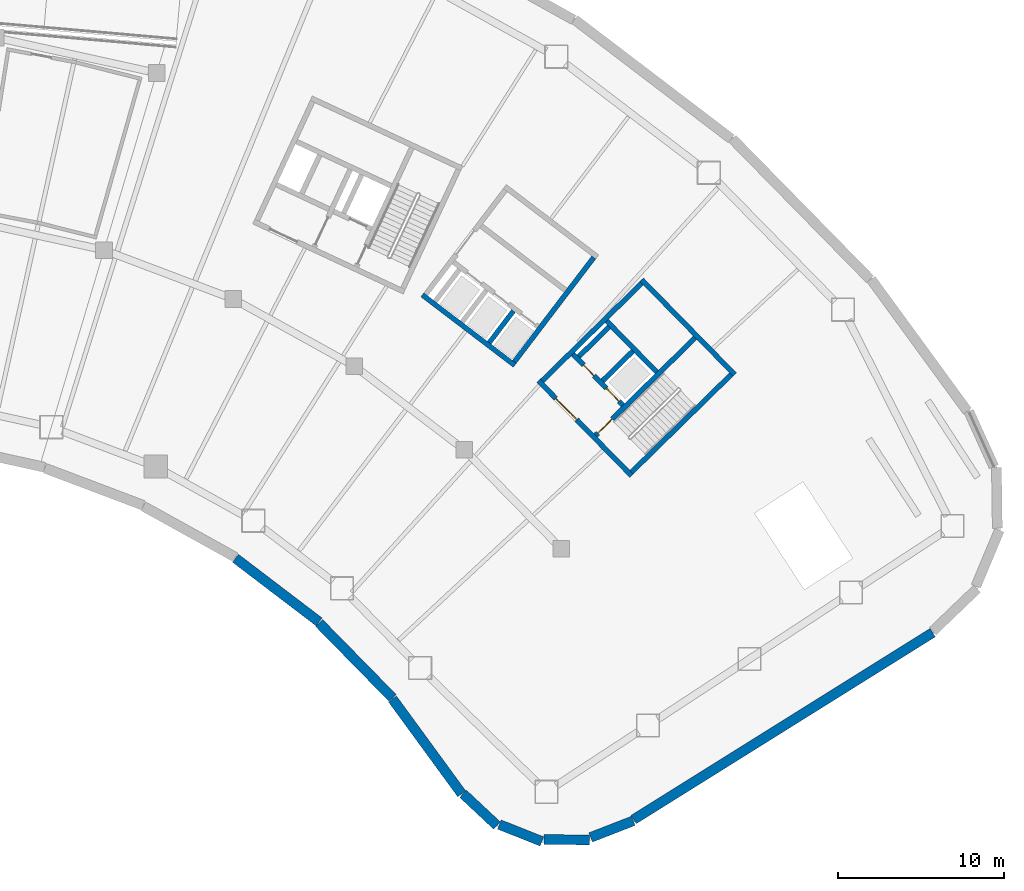
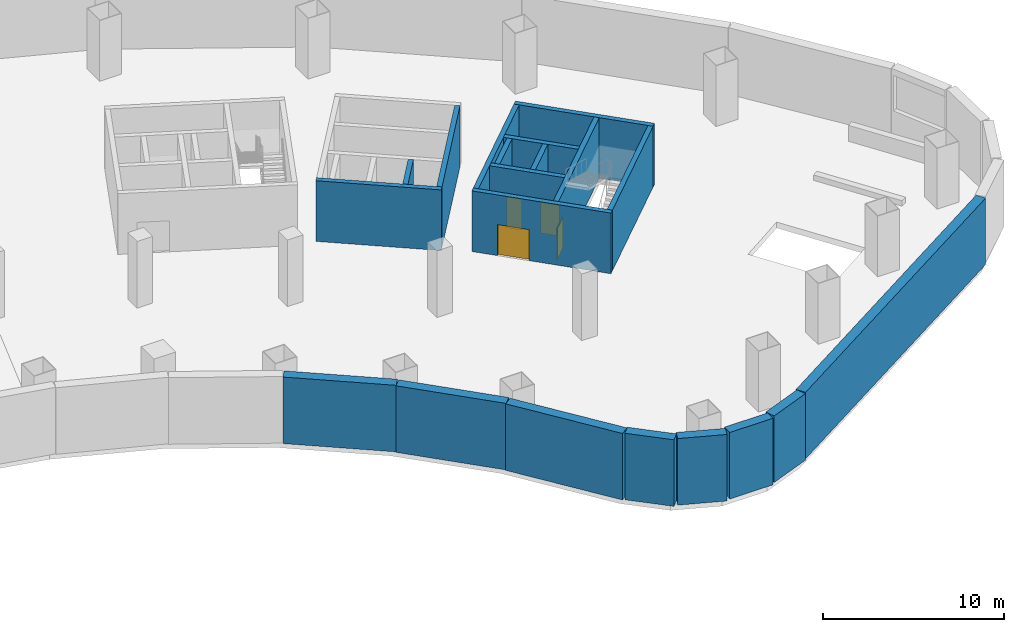
# One storey, part 6 of 11: 20 walls, 4 doors, 4 openings.
"""IFC4 building model written with IfcOpenShell, lengths in metres."""

from ifc_helpers import new_model, si_unit, direction, frame, frame_2d, origin, place, context, subcontext, project, spatial, rectangle, extrude, material, layer, layer_set, type_object, element, fill, save


model = new_model("IFC4")

# Units and contexts
model_context = context("Model", 3, precision=1e-05, world=origin(), true_north=direction((0.0, 1.0)))
body_context = subcontext(model_context, "Body", "Model", "MODEL_VIEW")
ifc_project = project(units=[si_unit("LENGTHUNIT", "METRE"), si_unit("AREAUNIT", "SQUARE_METRE"), si_unit("VOLUMEUNIT", "CUBIC_METRE"), si_unit("PLANEANGLEUNIT", "RADIAN"), si_unit("MASSUNIT", "GRAM", prefix="KILO")], contexts=[model_context])

# Site, building, storey
site_placement = place(None, origin())
site = spatial("IfcSite", under=ifc_project, at=site_placement, CompositionType="ELEMENT")
building_placement = place(site_placement, origin())
building = spatial("IfcBuilding", under=site, at=building_placement, Name="Tuul Gate Civic Tower", CompositionType="ELEMENT")
storey_placement = place(building_placement, frame((0.0, 0.0, -4.5)))
storey = spatial("IfcBuildingStorey", under=building, at=storey_placement, Name="Basement 1", CompositionType="ELEMENT", Elevation=-4.5)

# Wall, opening, door
ifc_material_1 = material(Name="Concrete C50/60", Category="concrete")
ifc_layer_1 = layer(ifc_material_1, 0.300048828125)
ifc_layer_set_1 = layer_set([ifc_layer_1], Name="Concrete C50/60")
wall_type_1 = type_object("IfcWallType", Name="Core wall C50/60", PredefinedType="SHEAR", material=ifc_layer_set_1)
wall_1_placement = place(storey_placement, frame((48.22509765625, -18.327880859375, 0.0), z_axis=(0.0, 0.0, 1.0), x_axis=(-0.700021979774, 0.714121297703, 0.0)))
wall_1 = element("IfcWall", 1, at=wall_1_placement, inside=storey, type_object=wall_type_1, Name="Core wall", PredefinedType="SHEAR", context=body_context, shape_type="SweptSolid", body=[
    extrude(rectangle(XDim=8.0, YDim=0.300048828125, at=frame_2d((4.0, 0.0))), origin(), (0.0, 0.0, 1.0), 4.10009765625),
])
opening_1_placement = place(wall_1_placement, frame((4.72509765625, 0.0, 0.0)))
opening_1 = element("IfcOpeningElement", 2, at=opening_1_placement, cuts=wall_1, Name="Opening LB-E1-LOBBY-1", PredefinedType="OPENING", context=body_context, shape_type="SweptSolid", body=[
    extrude(rectangle(XDim=1.800048828125, YDim=2.10009765625, at=frame_2d((0.89990234375, 1.050048828125))), frame((0.0, 0.16015625, 0.0), z_axis=(0.0, -1.0, 0.0), x_axis=(1.0, 0.0, 0.0)), (0.0, 0.0, 1.0), 0.320068359375),
])
ifc_material_2 = material(Name="Steel", Category="steel")
door_type_1 = type_object("IfcDoorType", Name="Lobby door", OperationType="DOUBLE_DOOR_SINGLE_SWING", PredefinedType="DOOR", material=ifc_material_2)
door_1_placement = place(opening_1_placement, origin())
door_1 = element("IfcDoor", 3, at=door_1_placement, inside=storey, type_object=door_type_1, Name="Lobby door E1-LOBBY", OperationType="DOUBLE_DOOR_SINGLE_SWING", OverallHeight=2.10009765625, OverallWidth=1.800048828125, PredefinedType="DOOR", context=body_context, shape_type="SweptSolid", body=[
    extrude(rectangle(XDim=1.800048828125, YDim=2.10009765625, at=frame_2d((0.89990234375, 1.050048828125))), frame((0.0, 0.02490234375, 0.0), z_axis=(0.0, -1.0, 0.0), x_axis=(1.0, 0.0, 0.0)), (0.0, 0.0, 1.0), 0.050048828125),
])
fill(opening_1, door_1)

# Wall, openings, doors
wall_2_placement = place(storey_placement, frame((47.701904296875, -14.079833984375, 0.0), z_axis=(0.0, 0.0, 1.0), x_axis=(-0.700002721075, 0.714140175657, 0.0)))
wall_2 = element("IfcWall", 4, at=wall_2_placement, inside=storey, type_object=wall_type_1, Name="Core wall", PredefinedType="SHEAR", context=body_context, shape_type="SweptSolid", body=[
    extrude(rectangle(XDim=4.300048828125, YDim=0.300048828125, at=frame_2d((2.14990234375, 0.0))), origin(), (0.0, 0.0, 1.0), 4.10009765625),
])
opening_2_placement = place(wall_2_placement, frame((0.324951171875, 0.0, 0.0)))
opening_2 = element("IfcOpeningElement", 5, at=opening_2_placement, cuts=wall_2, Name="Opening LD-L4", PredefinedType="OPENING", context=body_context, shape_type="SweptSolid", body=[
    extrude(rectangle(XDim=1.10009765625, YDim=2.10009765625, at=frame_2d((0.550048828125, 1.050048828125))), frame((0.0, 0.16015625, 0.0), z_axis=(0.0, -1.0, 0.0), x_axis=(1.0, 0.0, 0.0)), (0.0, 0.0, 1.0), 0.320068359375),
])
opening_3_placement = place(wall_2_placement, frame((2.47509765625, 0.0, 0.0)))
opening_3 = element("IfcOpeningElement", 6, at=opening_3_placement, cuts=wall_2, Name="Opening FB-E1A2", PredefinedType="OPENING", context=body_context, shape_type="SweptSolid", body=[
    extrude(rectangle(XDim=0.89990234375, YDim=2.10009765625, at=frame_2d((0.449951171875, 1.050048828125))), frame((0.0, 0.16015625, 0.0), z_axis=(0.0, -1.0, 0.0), x_axis=(1.0, 0.0, 0.0)), (0.0, 0.0, 1.0), 0.320068359375),
])
ifc_material_3 = material(Name="Stainless steel", Category="steel")
door_type_2 = type_object("IfcDoorType", Name="Landing door", OperationType="DOUBLE_DOOR_SLIDING", PredefinedType="DOOR", material=ifc_material_3)
door_2_placement = place(opening_2_placement, origin())
door_2 = element("IfcDoor", 7, at=door_2_placement, inside=storey, type_object=door_type_2, Name="Low-rise lift L4 landing door", OperationType="DOUBLE_DOOR_SLIDING", OverallHeight=2.10009765625, OverallWidth=1.10009765625, PredefinedType="DOOR", context=body_context, shape_type="SweptSolid", body=[
    extrude(rectangle(XDim=1.10009765625, YDim=2.10009765625, at=frame_2d((0.550048828125, 1.050048828125))), frame((0.0, 0.02490234375, 0.0), z_axis=(0.0, -1.0, 0.0), x_axis=(1.0, 0.0, 0.0)), (0.0, 0.0, 1.0), 0.050048828125),
])
fill(opening_2, door_2)
ifc_material_4 = material(Name="Steel", Category="steel")
door_type_3 = type_object("IfcDoorType", Name="Store door", OperationType="NOTDEFINED", PredefinedType="DOOR", material=ifc_material_4)
door_3_placement = place(opening_3_placement, frame((0.89990234375, 0.0, 0.0), z_axis=(0.0, 0.0, 1.0), x_axis=(-1.0, 0.0, 0.0)))
door_3 = element("IfcDoor", 8, at=door_3_placement, inside=storey, type_object=door_type_3, Name="Store door E1A2", OperationType="SINGLE_SWING_LEFT", OverallHeight=2.10009765625, OverallWidth=0.89990234375, PredefinedType="DOOR", context=body_context, shape_type="SweptSolid", body=[
    extrude(rectangle(XDim=0.89990234375, YDim=2.10009765625, at=frame_2d((0.449951171875, 1.050048828125))), frame((0.0, 0.02490234375, 0.0), z_axis=(0.0, -1.0, 0.0), x_axis=(1.0, 0.0, 0.0)), (0.0, 0.0, 1.0), 0.050048828125),
])
fill(opening_3, door_3)

# Walls
wall_3_placement = place(storey_placement, frame((49.737060546875, -12.0849609375, 0.0), z_axis=(0.0, 0.0, 1.0), x_axis=(-0.700002721075, 0.714140175657, 0.0)))
element("IfcWall", 9, at=wall_3_placement, inside=storey, type_object=wall_type_1, Name="Core wall", PredefinedType="SHEAR", context=body_context, shape_type="SweptSolid", body=[
    extrude(rectangle(XDim=4.300048828125, YDim=0.300048828125, at=frame_2d((2.14990234375, 0.0))), origin(), (0.0, 0.0, 1.0), 4.10009765625),
])
wall_4_placement = place(storey_placement, frame((54.43798828125, -12.23779296875, 0.0), z_axis=(0.0, 0.0, 1.0), x_axis=(-0.700021979774, 0.714121297703, 0.0)))
element("IfcWall", 10, at=wall_4_placement, inside=storey, type_object=wall_type_1, Name="Core wall", PredefinedType="SHEAR", context=body_context, shape_type="SweptSolid", body=[
    extrude(rectangle(XDim=8.0, YDim=0.300048828125, at=frame_2d((4.0, 0.0))), origin(), (0.0, 0.0, 1.0), 4.10009765625),
])
wall_5_placement = place(storey_placement, frame((48.227294921875, -18.115966796875, 0.0), z_axis=(0.0, 0.0, 1.0), x_axis=(0.714105315431, 0.700038283577, 0.0)))
element("IfcWall", 11, at=wall_5_placement, inside=storey, type_object=wall_type_1, Name="Core wall", PredefinedType="SHEAR", context=body_context, shape_type="SweptSolid", body=[
    extrude(rectangle(XDim=8.400146484375, YDim=0.300048828125, at=frame_2d((4.2001953125, 0.0))), origin(), (0.0, 0.0, 1.0), 4.10009765625),
])

# Wall, opening, door
wall_6_placement = place(storey_placement, frame((46.05712890625, -15.902099609375, 0.0), z_axis=(0.0, 0.0, 1.0), x_axis=(0.714134086973, 0.700008932674, 0.0)))
wall_6 = element("IfcWall", 12, at=wall_6_placement, inside=storey, type_object=wall_type_1, Name="Core wall", PredefinedType="SHEAR", context=body_context, shape_type="SweptSolid", body=[
    extrude(rectangle(XDim=8.400146484375, YDim=0.300048828125, at=frame_2d((4.2001953125, 0.0))), origin(), (0.0, 0.0, 1.0), 4.10009765625),
])
opening_4_placement = place(wall_6_placement, frame((0.199951171875, 0.0, 0.0)))
opening_4 = element("IfcOpeningElement", 13, at=opening_4_placement, cuts=wall_6, Name="Opening SD-ST-3", PredefinedType="OPENING", context=body_context, shape_type="SweptSolid", body=[
    extrude(rectangle(XDim=1.199951171875, YDim=2.10009765625, at=frame_2d((0.60009765625, 1.050048828125))), frame((0.0, 0.16015625, 0.0), z_axis=(0.0, -1.0, 0.0), x_axis=(1.0, 0.0, 0.0)), (0.0, 0.0, 1.0), 0.320068359375),
])
ifc_material_5 = material(Name="Steel", Category="steel")
door_type_4 = type_object("IfcDoorType", Name="Stair door", OperationType="NOTDEFINED", PredefinedType="DOOR", material=ifc_material_5)
door_4_placement = place(opening_4_placement, origin())
door_4 = element("IfcDoor", 14, at=door_4_placement, inside=storey, type_object=door_type_4, Name="Stair door ST-3", OperationType="SINGLE_SWING_LEFT", OverallHeight=2.10009765625, OverallWidth=1.199951171875, PredefinedType="DOOR", context=body_context, shape_type="SweptSolid", body=[
    extrude(rectangle(XDim=1.199951171875, YDim=2.10009765625, at=frame_2d((0.60009765625, 1.050048828125))), frame((0.0, 0.02490234375, 0.0), z_axis=(0.0, -1.0, 0.0), x_axis=(1.0, 0.0, 0.0)), (0.0, 0.0, 1.0), 0.050048828125),
])
fill(opening_4, door_4)

# Walls
wall_7_placement = place(storey_placement, frame((46.47900390625, -12.617919921875, 0.0), z_axis=(0.0, 0.0, 1.0), x_axis=(0.71410944159, 0.700034074479, 0.0)))
element("IfcWall", 15, at=wall_7_placement, inside=storey, type_object=wall_type_1, Name="Core wall", PredefinedType="SHEAR", context=body_context, shape_type="SweptSolid", body=[
    extrude(rectangle(XDim=2.5498046875, YDim=0.300048828125, at=frame_2d((1.27490234375, 0.0))), origin(), (0.0, 0.0, 1.0), 4.10009765625),
])
wall_8_placement = place(storey_placement, frame((45.0439453125, -11.154052734375, 0.0), z_axis=(0.0, 0.0, 1.0), x_axis=(0.714108498262, 0.700035036773, 0.0)))
element("IfcWall", 16, at=wall_8_placement, inside=storey, type_object=wall_type_1, Name="Core wall", PredefinedType="SHEAR", context=body_context, shape_type="SweptSolid", body=[
    extrude(rectangle(XDim=2.550048828125, YDim=0.300048828125, at=frame_2d((1.27490234375, 0.0))), origin(), (0.0, 0.0, 1.0), 4.10009765625),
])
wall_9_placement = place(storey_placement, frame((42.837158203125, -12.616943359375, 0.0), z_axis=(0.0, 0.0, 1.0), x_axis=(0.714119844755, 0.700023461983, 0.0)))
element("IfcWall", 17, at=wall_9_placement, inside=storey, type_object=wall_type_1, Name="Core wall", PredefinedType="SHEAR", context=body_context, shape_type="SweptSolid", body=[
    extrude(rectangle(XDim=8.39990234375, YDim=0.300048828125, at=frame_2d((4.199951171875, 0.0))), origin(), (0.0, 0.0, 1.0), 4.10009765625),
])
ifc_material_6 = material(Name="Concrete C40/50", Category="concrete")
ifc_layer_2 = layer(ifc_material_6, 0.300048828125)
ifc_layer_set_2 = layer_set([ifc_layer_2], Name="Concrete C40/50")
wall_type_2 = type_object("IfcWallType", Name="Lift shaft wall C40/50", PredefinedType="STANDARD", material=ifc_layer_set_2)
wall_10_placement = place(storey_placement, frame((41.19189453125, -11.677734375, 0.0), z_axis=(0.0, 0.0, 1.0), x_axis=(-0.795563000331, 0.605870871147, 0.0)))
element("IfcWall", 18, at=wall_10_placement, inside=storey, type_object=wall_type_2, Name="Shaft wall", PredefinedType="STANDARD", context=body_context, shape_type="SweptSolid", body=[
    extrude(rectangle(XDim=7.000244140625, YDim=0.300048828125, at=frame_2d((3.5, 0.0))), origin(), (0.0, 0.0, 1.0), 4.10009765625),
])
wall_11_placement = place(storey_placement, frame((41.163330078125, -11.46728515625, 0.0), z_axis=(0.0, 0.0, 1.0), x_axis=(0.605784332699, 0.795628897324, 0.0)))
element("IfcWall", 19, at=wall_11_placement, inside=storey, type_object=wall_type_2, Name="Shaft wall", PredefinedType="STANDARD", context=body_context, shape_type="SweptSolid", body=[
    extrude(rectangle(XDim=7.89990234375, YDim=0.300048828125, at=frame_2d((3.949951171875, 0.0))), origin(), (0.0, 0.0, 1.0), 4.10009765625),
])
wall_12_placement = place(storey_placement, frame((39.65185546875, -10.31640625, 0.0), z_axis=(0.0, 0.0, 1.0), x_axis=(0.605745892068, 0.79565816419, 0.0)))
element("IfcWall", 20, at=wall_12_placement, inside=storey, type_object=wall_type_2, Name="Shaft wall", PredefinedType="STANDARD", context=body_context, shape_type="SweptSolid", body=[
    extrude(rectangle(XDim=2.400146484375, YDim=0.300048828125, at=frame_2d((1.2001953125, 0.0))), origin(), (0.0, 0.0, 1.0), 4.10009765625),
])
ifc_material_7 = material(Name="Concrete C40/50", Category="concrete")
ifc_layer_3 = layer(ifc_material_7, 0.60009765625)
ifc_layer_set_3 = layer_set([ifc_layer_3], Name="Concrete C40/50")
wall_type_3 = type_object("IfcWallType", Name="STR-BASEMENT-WALL-600", PredefinedType="SOLIDWALL", material=ifc_layer_set_3)
wall_13_placement = place(storey_placement, frame((24.36669921875, -23.305908203125, 0.0), z_axis=(0.0, 0.0, 1.0), x_axis=(0.795574327879, -0.605855996768, 0.0)))
element("IfcWall", 21, at=wall_13_placement, inside=storey, type_object=wall_type_3, Name="Retaining wall", PredefinedType="SOLIDWALL", context=body_context, shape_type="SweptSolid", body=[
    extrude(rectangle(XDim=6.326171875, YDim=0.60009765625, at=frame_2d((3.1630859375, 0.0))), origin(), (0.0, 0.0, 1.0), 4.5),
])
wall_14_placement = place(storey_placement, frame((29.400146484375, -27.200927734375, 0.0), z_axis=(0.0, 0.0, 1.0), x_axis=(0.699988825608, -0.714153795778, 0.0)))
element("IfcWall", 22, at=wall_14_placement, inside=storey, type_object=wall_type_3, Name="Retaining wall", PredefinedType="SOLIDWALL", context=body_context, shape_type="SweptSolid", body=[
    extrude(rectangle(XDim=6.325439453125, YDim=0.60009765625, at=frame_2d((3.16259765625, 0.0))), origin(), (0.0, 0.0, 1.0), 4.5),
])
wall_15_placement = place(storey_placement, frame((33.819580078125, -31.77978515625, 0.0), z_axis=(0.0, 0.0, 1.0), x_axis=(0.58979083705, -0.807556046682, 0.0)))
element("IfcWall", 23, at=wall_15_placement, inside=storey, type_object=wall_type_3, Name="Retaining wall", PredefinedType="SOLIDWALL", context=body_context, shape_type="SweptSolid", body=[
    extrude(rectangle(XDim=7.07763671875, YDim=0.60009765625, at=frame_2d((3.538818359375, 0.0))), origin(), (0.0, 0.0, 1.0), 4.5),
])
wall_16_placement = place(storey_placement, frame((38.073974609375, -37.49365234375, 0.0), z_axis=(0.0, 0.0, 1.0), x_axis=(0.729885277798, -0.683569660864, 0.0)))
element("IfcWall", 24, at=wall_16_placement, inside=storey, type_object=wall_type_3, Name="Retaining wall", PredefinedType="SOLIDWALL", context=body_context, shape_type="SweptSolid", body=[
    extrude(rectangle(XDim=2.799072265625, YDim=0.60009765625, at=frame_2d((1.3994140625, 0.0))), origin(), (0.0, 0.0, 1.0), 4.5),
])
wall_17_placement = place(storey_placement, frame((40.260498046875, -39.345947265625, 0.0), z_axis=(0.0, 0.0, 1.0), x_axis=(0.92939489818, -0.369086877627, 0.0)))
element("IfcWall", 25, at=wall_17_placement, inside=storey, type_object=wall_type_3, Name="Retaining wall", PredefinedType="SOLIDWALL", context=body_context, shape_type="SweptSolid", body=[
    extrude(rectangle(XDim=2.76025390625, YDim=0.60009765625, at=frame_2d((1.380126953125, 0.0))), origin(), (0.0, 0.0, 1.0), 4.5),
])
for number, where, z_axis, x_axis, name in (
    (26, (42.937255859375, -40.255126953125, 0.0), (0.0, 0.0, 1.0), (0.999994928839, -0.003184697226, 0.0), "Retaining wall"),
    (27, (45.760498046875, -40.12158203125, 0.0), (0.0, 0.0, 1.0), (0.932003011287, 0.362450530351, 0.0), "Retaining wall"),
):
    element("IfcWall", number, at=place(storey_placement, frame(where, z_axis=z_axis, x_axis=x_axis)), inside=storey, type_object=wall_type_3, Name=name, PredefinedType="SOLIDWALL", context=body_context, shape_type="SweptSolid", body=[
        extrude(rectangle(XDim=2.759765625, YDim=0.60009765625, at=frame_2d((1.3798828125, 0.0))), origin(), (0.0, 0.0, 1.0), 4.5),
    ])
wall_18_placement = place(storey_placement, frame((48.3515625, -39.04345703125, 0.0), z_axis=(0.0, 0.0, 1.0), x_axis=(0.84804026934, 0.529931789552, 0.0)))
element("IfcWall", 28, at=wall_18_placement, inside=storey, type_object=wall_type_3, Name="Retaining wall", PredefinedType="SOLIDWALL", context=body_context, shape_type="SweptSolid", body=[
    extrude(rectangle(XDim=21.242919921875, YDim=0.60009765625, at=frame_2d((10.62158203125, 0.0))), origin(), (0.0, 0.0, 1.0), 4.5),
])

save(model, "model.ifc")
